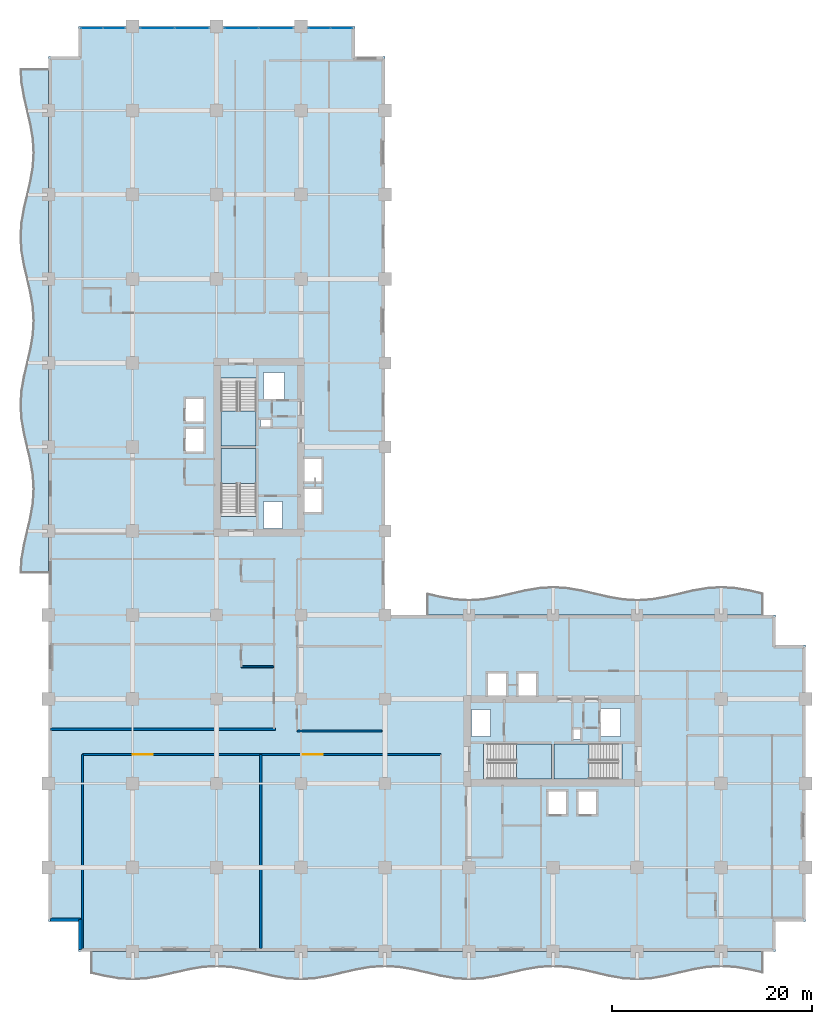
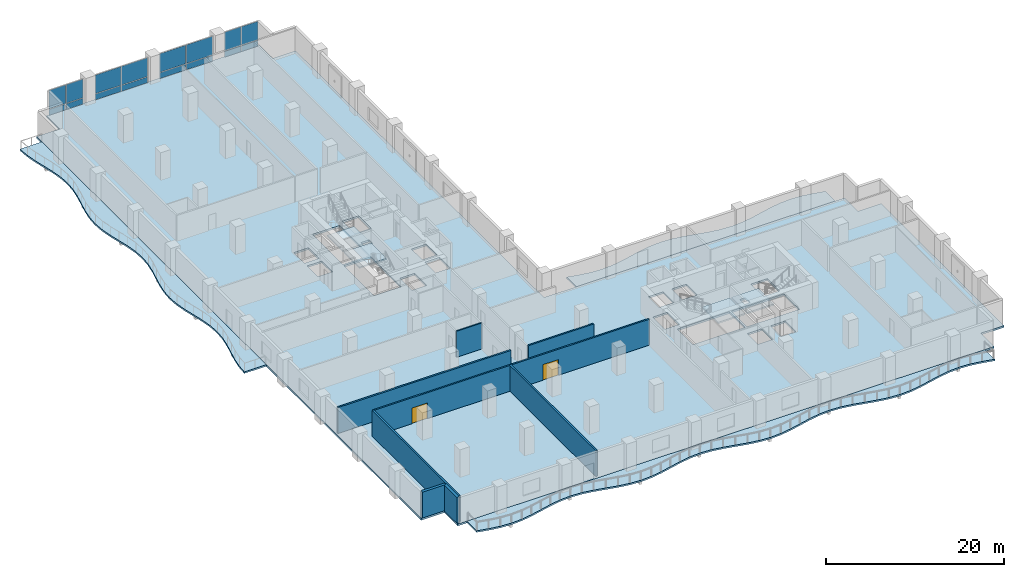
# One storey, part 6 of 22: 16 plates, 8 slabs, 8 walls, 2 doors, 2 openings, 8 elements without a shape of their own.
"""IFC4 building model written with IfcOpenShell, lengths in metres."""

import ifcopenshell
import ifcopenshell.guid

model = None  # the IFC model being written
_history = None  # IfcOwnerHistory: only IFC2X3 demands one
_inside = {}  # id of a spatial element -> (the spatial element, [elements in it])
_under = {}  # id of a project, library or spatial element -> (it, [spatial elements below it])
_declared = {}  # id of a project -> (the project, [libraries it declares])
_typed = {}  # id of a type object -> (the type object, [elements of that type])
_made_of = {}  # id of a material, layer set ... -> (it, [elements and type objects made of it])


def new_model(schema):
    """Start an empty IFC model of exactly this schema.

    Asked for "IFC4X3", IfcOpenShell would pick the latest addendum, in which some entities
    have other attributes; the version numbers below select the first issue.
    IFC2X3 requires an IfcOwnerHistory on every rooted entity: one is made here for all.
    """
    global model, _history
    if schema == "IFC4X3":
        model = ifcopenshell.file(schema_version=(4, 3, 0, 0))
    else:
        model = ifcopenshell.file(schema=schema)
    _inside.clear()
    _under.clear()
    _declared.clear()
    _typed.clear()
    _made_of.clear()
    _history = None
    if model.schema == "IFC2X3":
        org = make("IfcOrganization", Name="unknown")
        user = make(
            "IfcPersonAndOrganization",
            ThePerson=make("IfcPerson", FamilyName="unknown"),
            TheOrganization=org,
        )
        app = make(
            "IfcApplication",
            ApplicationDeveloper=org,
            Version="unknown",
            ApplicationFullName="unknown",
            ApplicationIdentifier="unknown",
        )
        _history = make(
            "IfcOwnerHistory",
            OwningUser=user,
            OwningApplication=app,
            ChangeAction="ADDED",
            CreationDate=0,
        )
    return model


def make(cls, **values):
    """One entity of the class cls with the attributes given. An attribute that is None is left unset."""
    return model.create_entity(
        cls, **{name: value for name, value in values.items() if value is not None}
    )


def rooted(cls, **values):
    """An entity with a GlobalId (a new one), such as an element, a storey or a relation."""
    return make(cls, GlobalId=ifcopenshell.guid.new(), OwnerHistory=_history, **values)


def si_unit(unit_type, name, prefix=None):
    """IfcSIUnit, for example si_unit("LENGTHUNIT", "METRE", prefix="MILLI")."""
    return make("IfcSIUnit", UnitType=unit_type, Prefix=prefix, Name=name)


def assignment(units):
    """IfcUnitAssignment: the units of a project."""
    return None if units is None else make("IfcUnitAssignment", Units=units)


def point(xyz):
    """IfcCartesianPoint."""
    return None if xyz is None else make("IfcCartesianPoint", Coordinates=xyz)


def direction(xyz):
    """IfcDirection."""
    return None if xyz is None else make("IfcDirection", DirectionRatios=xyz)


def frame(location, z_axis=None, x_axis=None):
    """IfcAxis2Placement3D, a coordinate frame: its origin and axes. An axis left out is left unset."""
    return make(
        "IfcAxis2Placement3D",
        Location=point(location),
        Axis=direction(z_axis),
        RefDirection=direction(x_axis),
    )


def frame_2d(location, x_axis=None):
    """IfcAxis2Placement2D, a coordinate frame in the plane: its origin and x axis."""
    return make(
        "IfcAxis2Placement2D", Location=point(location), RefDirection=direction(x_axis)
    )


def origin():
    """The frame at (0, 0, 0) with its axes left unset."""
    return frame((0.0, 0.0, 0.0))


def origin_2d():
    """The frame at (0, 0) in the plane with its x axis left unset."""
    return frame_2d((0.0, 0.0))


def place(relative_to, where):
    """IfcLocalPlacement: puts the frame where relative to a parent placement (None: the world)."""
    return make(
        "IfcLocalPlacement", PlacementRelTo=relative_to, RelativePlacement=where
    )


def context(
    kind, dimensions, precision=None, world=None, true_north=None, identifier=None
):
    """IfcGeometricRepresentationContext, for example the 3D "Model" context."""
    return make(
        "IfcGeometricRepresentationContext",
        ContextIdentifier=identifier,
        ContextType=kind,
        CoordinateSpaceDimension=dimensions,
        Precision=precision,
        WorldCoordinateSystem=world,
        TrueNorth=true_north,
    )


def subcontext(parent, identifier, kind, view, scale=None):
    """IfcGeometricRepresentationSubContext, for example "Body" below "Model"."""
    return make(
        "IfcGeometricRepresentationSubContext",
        ContextIdentifier=identifier,
        ContextType=kind,
        ParentContext=parent,
        TargetScale=scale,
        TargetView=view,
    )


def project(units=None, contexts=None):
    """IfcProject with its units and contexts."""
    return rooted(
        "IfcProject",
        Name="project",
        RepresentationContexts=contexts,
        UnitsInContext=assignment(units),
    )


def spatial(cls, under=None, at=None, **own):
    """A site, building, storey or space (cls), placed at a placement, below another one or the project."""
    s = rooted(cls, ObjectPlacement=at, **own)
    if under is not None:
        _under.setdefault(under.id(), (under, []))[1].append(s)
    return s


def polyline(points):
    """IfcPolyline through the points."""
    return make("IfcPolyline", Points=[point(p) for p in points])


def profile(cls, at=None, kind="AREA", **sizes):
    """A parametric profile (cls). Its sizes go by their IFC names, for example OverallWidth=200.0."""
    return make(cls, ProfileType=kind, Position=at, **sizes)


def rectangle(**sizes):
    """IfcRectangleProfileDef."""
    return profile("IfcRectangleProfileDef", **sizes)


def outline(outer, holes=None, kind="AREA"):
    """IfcArbitraryClosedProfileDef: a profile drawn as a closed curve; with holes, ...WithVoids."""
    if holes is None:
        return make("IfcArbitraryClosedProfileDef", ProfileType=kind, OuterCurve=outer)
    return make(
        "IfcArbitraryProfileDefWithVoids",
        ProfileType=kind,
        OuterCurve=outer,
        InnerCurves=holes,
    )


def extrude(swept, where, along, depth):
    """IfcExtrudedAreaSolid: the profile swept, set in the frame where, extruded along a direction by depth."""
    return make(
        "IfcExtrudedAreaSolid",
        SweptArea=swept,
        Position=where,
        ExtrudedDirection=direction(along),
        Depth=depth,
    )


def shape(context_of_items, identifier, shape_type, items):
    """IfcShapeRepresentation: the items that make up one representation, for example the "Body"."""
    return make(
        "IfcShapeRepresentation",
        ContextOfItems=context_of_items,
        RepresentationIdentifier=identifier,
        RepresentationType=shape_type,
        Items=items,
    )


def material(Name=None, Category=None):
    """IfcMaterial."""
    return make("IfcMaterial", Name=Name, Category=Category)


def layer(
    of_material, thickness, ventilated=None, Name=None, Category=None, Priority=None
):
    """IfcMaterialLayer: one layer of a wall or slab, of a material (None: an air gap)."""
    return make(
        "IfcMaterialLayer",
        Material=of_material,
        LayerThickness=thickness,
        IsVentilated=ventilated,
        Name=Name,
        Category=Category,
        Priority=Priority,
    )


def layer_set(layers, Name=None):
    """IfcMaterialLayerSet."""
    return make("IfcMaterialLayerSet", MaterialLayers=layers, LayerSetName=Name)


def made_of(thing, what):
    """Note that an element or type object is made of a material, layer set ...; save() writes the relation."""
    if what is not None:
        _made_of.setdefault(what.id(), (what, []))[1].append(thing)
    return thing


def type_object(cls, material=None, **own):
    """A type object (cls), such as IfcWallType, which elements share."""
    return made_of(rooted(cls, **own), material)


def element(
    cls,
    number,
    at=None,
    inside=None,
    cuts=None,
    type_object=None,
    material=None,
    context=None,
    identifier="Body",
    shape_type=None,
    held_by="IfcProductDefinitionShape",
    body=None,
    shapes=None,
    **own,
):
    """One element of the class cls, such as IfcWall. Its Tag is "e" and its number.

    at: its placement. inside: the storey or other place that contains it. cuts: it is an
    opening in that element (IfcRelVoidsElement). A single representation is given by context,
    identifier, shape_type and body (its items); several are given by shapes. held_by: the class
    of the entity that holds the representations. save() writes the other relations.
    """
    e = rooted(cls, Tag="e%d" % number, ObjectPlacement=at, **own)
    if body is not None:
        shapes = [shape(context, identifier, shape_type, body)]
    if shapes is not None:
        e.Representation = make(held_by, Representations=shapes)
    if inside is not None:
        _inside.setdefault(inside.id(), (inside, []))[1].append(e)
    if cuts is not None:
        rooted(
            "IfcRelVoidsElement", RelatingBuildingElement=cuts, RelatedOpeningElement=e
        )
    if type_object is not None:
        _typed.setdefault(type_object.id(), (type_object, []))[1].append(e)
    return made_of(e, material)


def fill(opening, filler):
    """IfcRelFillsElement: the door or window that sits in an opening."""
    return rooted(
        "IfcRelFillsElement",
        RelatingOpeningElement=opening,
        RelatedBuildingElement=filler,
    )


def aggregate(whole, parts):
    """IfcRelAggregates: a whole, such as a stair, and the parts it consists of."""
    return rooted("IfcRelAggregates", RelatingObject=whole, RelatedObjects=parts)


def save(model, path):
    """Write the relations noted so far, then the file.

    IfcRelAggregates (storeys below a building ...), IfcRelContainedInSpatialStructure (elements
    in a storey), IfcRelDefinesByType, IfcRelAssociatesMaterial and IfcRelDeclares: one each for
    every whole, place, type object, material and project.
    """
    for whole, parts in _under.values():
        aggregate(whole, parts)
    for where, things in _inside.values():
        rooted(
            "IfcRelContainedInSpatialStructure",
            RelatedElements=things,
            RelatingStructure=where,
        )
    for kind, things in _typed.values():
        rooted("IfcRelDefinesByType", RelatedObjects=things, RelatingType=kind)
    for what, things in _made_of.values():
        rooted("IfcRelAssociatesMaterial", RelatedObjects=things, RelatingMaterial=what)
    for by, libraries in _declared.values():
        rooted("IfcRelDeclares", RelatingContext=by, RelatedDefinitions=libraries)
    model.write(path)


model = new_model("IFC4")

# Units and contexts
model_context = context("Model", 3, precision=1e-05, world=origin(), true_north=direction((0.0, 1.0)))
body_context = subcontext(model_context, "Body", "Model", "MODEL_VIEW")
ifc_project = project(units=[si_unit("LENGTHUNIT", "METRE"), si_unit("AREAUNIT", "SQUARE_METRE"), si_unit("VOLUMEUNIT", "CUBIC_METRE"), si_unit("PLANEANGLEUNIT", "RADIAN"), si_unit("MASSUNIT", "GRAM", prefix="KILO")], contexts=[model_context])

# Site, building, storey
site_placement = place(None, origin())
site = spatial("IfcSite", under=ifc_project, at=site_placement, CompositionType="ELEMENT")
building_placement = place(site_placement, origin())
building = spatial("IfcBuilding", under=site, at=building_placement, Name="Koriwani Terraces Tower", CompositionType="ELEMENT")
storey_placement = place(building_placement, frame((0.0, 0.0, 141.800048828125)))
storey = spatial("IfcBuildingStorey", under=building, at=storey_placement, Name="L34", CompositionType="ELEMENT", Elevation=141.800048828125)

# Curtain wall, plates
ifc_material_1 = material(Name="Anodised Bronze Aluminium", Category="aluminium")
ifc_layer_1 = layer(ifc_material_1, 0.179931640625, Name="Anodised Bronze Aluminium")
ifc_layer_set_1 = layer_set([ifc_layer_1], Name="Anodised Bronze Aluminium")
curtain_wall_type = type_object("IfcCurtainWallType", Name="CW_HOTEL_ZONE2", PredefinedType="NOTDEFINED", material=ifc_layer_set_1)
curtain_wall_1_placement = place(storey_placement, origin())
curtain_wall_1 = element("IfcCurtainWall", 1, at=curtain_wall_1_placement, inside=storey, type_object=curtain_wall_type, Name="L34 Unitised Curtain Wall (N_TIP) Bay 1", PredefinedType="NOTDEFINED")
ifc_material_2 = material(Name="Tempered Laminated Low-E Glass", Category="glass")
ifc_layer_2 = layer(ifc_material_2, 0.028076171875, Name="Tempered Laminated Low-E Glass")
ifc_layer_set_2 = layer_set([ifc_layer_2], Name="Tempered Laminated Low-E Glass")
plate_type = type_object("IfcPlateType", Name="CW_PANEL_VISION_28", PredefinedType="CURTAIN_PANEL", material=ifc_layer_set_2)
plate_1_placement = place(storey_placement, frame((4.322509765625, 92.22509765625, 0.06494140625), z_axis=(0.0, 0.0, 1.0), x_axis=(1.0, 0.0, 0.0)))
plate_1 = element("IfcPlate", 2, at=plate_1_placement, type_object=plate_type, Name="CW-Z2 panel 1.1", PredefinedType="CURTAIN_PANEL", context=body_context, shape_type="SweptSolid", body=[
    extrude(rectangle(XDim=2.14501953125, YDim=0.028076171875, at=origin_2d()), origin(), (0.0, 0.0, 1.0), 0.802490234375),
])
plate_2_placement = place(storey_placement, frame((4.322509765625, 92.22509765625, 0.9326171875), z_axis=(0.0, 0.0, 1.0), x_axis=(1.0, 0.0, 0.0)))
plate_2 = element("IfcPlate", 3, at=plate_2_placement, type_object=plate_type, Name="CW-Z2 panel 1.2", PredefinedType="CURTAIN_PANEL", context=body_context, shape_type="SweptSolid", body=[
    extrude(rectangle(XDim=2.14501953125, YDim=0.028076171875, at=origin_2d()), origin(), (0.0, 0.0, 1.0), 2.552490234375),
])
plate_3_placement = place(storey_placement, frame((6.54248046875, 92.22509765625, 0.06494140625), z_axis=(0.0, 0.0, 1.0), x_axis=(1.0, 0.0, 0.0)))
plate_3 = element("IfcPlate", 4, at=plate_3_placement, type_object=plate_type, Name="CW-Z2 panel 2.1", PredefinedType="CURTAIN_PANEL", context=body_context, shape_type="SweptSolid", body=[
    extrude(rectangle(XDim=2.14501953125, YDim=0.028076171875, at=origin_2d()), origin(), (0.0, 0.0, 1.0), 0.802490234375),
])
plate_4_placement = place(storey_placement, frame((6.54248046875, 92.22509765625, 0.9326171875), z_axis=(0.0, 0.0, 1.0), x_axis=(1.0, 0.0, 0.0)))
plate_4 = element("IfcPlate", 5, at=plate_4_placement, type_object=plate_type, Name="CW-Z2 panel 2.2", PredefinedType="CURTAIN_PANEL", context=body_context, shape_type="SweptSolid", body=[
    extrude(rectangle(XDim=2.14501953125, YDim=0.028076171875, at=origin_2d()), origin(), (0.0, 0.0, 1.0), 2.552490234375),
])
aggregate(curtain_wall_1, [plate_1, plate_2, plate_3, plate_4])

curtain_wall_2_placement = place(storey_placement, origin())
curtain_wall_2 = element("IfcCurtainWall", 6, at=curtain_wall_2_placement, inside=storey, type_object=curtain_wall_type, Name="L34 Unitised Curtain Wall (N_TIP) Bay 2", PredefinedType="NOTDEFINED")
plate_5_placement = place(storey_placement, frame((10.873779296875, 92.22509765625, 0.06494140625), z_axis=(0.0, 0.0, 1.0), x_axis=(1.0, 0.0, 0.0)))
plate_5 = element("IfcPlate", 7, at=plate_5_placement, type_object=plate_type, Name="CW-Z2 panel 1.1", PredefinedType="CURTAIN_PANEL", context=body_context, shape_type="SweptSolid", body=[
    extrude(rectangle(XDim=3.37744140625, YDim=0.028076171875, at=origin_2d()), origin(), (0.0, 0.0, 1.0), 0.802490234375),
])
plate_6_placement = place(storey_placement, frame((10.873779296875, 92.22509765625, 0.9326171875), z_axis=(0.0, 0.0, 1.0), x_axis=(1.0, 0.0, 0.0)))
plate_6 = element("IfcPlate", 8, at=plate_6_placement, type_object=plate_type, Name="CW-Z2 panel 1.2", PredefinedType="CURTAIN_PANEL", context=body_context, shape_type="SweptSolid", body=[
    extrude(rectangle(XDim=3.37744140625, YDim=0.028076171875, at=origin_2d()), origin(), (0.0, 0.0, 1.0), 2.552490234375),
])
plate_7_placement = place(storey_placement, frame((14.326171875, 92.22509765625, 0.06494140625), z_axis=(0.0, 0.0, 1.0), x_axis=(1.0, 0.0, 0.0)))
plate_7 = element("IfcPlate", 9, at=plate_7_placement, type_object=plate_type, Name="CW-Z2 panel 2.1", PredefinedType="CURTAIN_PANEL", context=body_context, shape_type="SweptSolid", body=[
    extrude(rectangle(XDim=3.37744140625, YDim=0.028076171875, at=origin_2d()), origin(), (0.0, 0.0, 1.0), 0.802490234375),
])
plate_8_placement = place(storey_placement, frame((14.326171875, 92.22509765625, 0.9326171875), z_axis=(0.0, 0.0, 1.0), x_axis=(1.0, 0.0, 0.0)))
plate_8 = element("IfcPlate", 10, at=plate_8_placement, type_object=plate_type, Name="CW-Z2 panel 2.2", PredefinedType="CURTAIN_PANEL", context=body_context, shape_type="SweptSolid", body=[
    extrude(rectangle(XDim=3.37744140625, YDim=0.028076171875, at=origin_2d()), origin(), (0.0, 0.0, 1.0), 2.552490234375),
])
aggregate(curtain_wall_2, [plate_5, plate_6, plate_7, plate_8])

curtain_wall_3_placement = place(storey_placement, origin())
curtain_wall_3 = element("IfcCurtainWall", 11, at=curtain_wall_3_placement, inside=storey, type_object=curtain_wall_type, Name="L34 Unitised Curtain Wall (N_TIP) Bay 3", PredefinedType="NOTDEFINED")
plate_9_placement = place(storey_placement, frame((19.273681640625, 92.22509765625, 0.06494140625), z_axis=(0.0, 0.0, 1.0), x_axis=(1.0, 0.0, 0.0)))
plate_9 = element("IfcPlate", 12, at=plate_9_placement, type_object=plate_type, Name="CW-Z2 panel 1.1", PredefinedType="CURTAIN_PANEL", context=body_context, shape_type="SweptSolid", body=[
    extrude(rectangle(XDim=3.37744140625, YDim=0.028076171875, at=origin_2d()), origin(), (0.0, 0.0, 1.0), 0.802490234375),
])
plate_10_placement = place(storey_placement, frame((19.273681640625, 92.22509765625, 0.9326171875), z_axis=(0.0, 0.0, 1.0), x_axis=(1.0, 0.0, 0.0)))
plate_10 = element("IfcPlate", 13, at=plate_10_placement, type_object=plate_type, Name="CW-Z2 panel 1.2", PredefinedType="CURTAIN_PANEL", context=body_context, shape_type="SweptSolid", body=[
    extrude(rectangle(XDim=3.37744140625, YDim=0.028076171875, at=origin_2d()), origin(), (0.0, 0.0, 1.0), 2.552490234375),
])
plate_11_placement = place(storey_placement, frame((22.726318359375, 92.22509765625, 0.06494140625), z_axis=(0.0, 0.0, 1.0), x_axis=(1.0, 0.0, 0.0)))
plate_11 = element("IfcPlate", 14, at=plate_11_placement, type_object=plate_type, Name="CW-Z2 panel 2.1", PredefinedType="CURTAIN_PANEL", context=body_context, shape_type="SweptSolid", body=[
    extrude(rectangle(XDim=3.37744140625, YDim=0.028076171875, at=origin_2d()), origin(), (0.0, 0.0, 1.0), 0.802490234375),
])
plate_12_placement = place(storey_placement, frame((22.726318359375, 92.22509765625, 0.9326171875), z_axis=(0.0, 0.0, 1.0), x_axis=(1.0, 0.0, 0.0)))
plate_12 = element("IfcPlate", 15, at=plate_12_placement, type_object=plate_type, Name="CW-Z2 panel 2.2", PredefinedType="CURTAIN_PANEL", context=body_context, shape_type="SweptSolid", body=[
    extrude(rectangle(XDim=3.37744140625, YDim=0.028076171875, at=origin_2d()), origin(), (0.0, 0.0, 1.0), 2.552490234375),
])
aggregate(curtain_wall_3, [plate_9, plate_10, plate_11, plate_12])

curtain_wall_4_placement = place(storey_placement, origin())
curtain_wall_4 = element("IfcCurtainWall", 16, at=curtain_wall_4_placement, inside=storey, type_object=curtain_wall_type, Name="L34 Unitised Curtain Wall (N_TIP) Bay 4", PredefinedType="NOTDEFINED")
plate_13_placement = place(storey_placement, frame((27.0576171875, 92.22509765625, 0.06494140625), z_axis=(0.0, 0.0, 1.0), x_axis=(1.0, 0.0, 0.0)))
plate_13 = element("IfcPlate", 17, at=plate_13_placement, type_object=plate_type, Name="CW-Z2 panel 1.1", PredefinedType="CURTAIN_PANEL", context=body_context, shape_type="SweptSolid", body=[
    extrude(rectangle(XDim=2.14501953125, YDim=0.028076171875, at=origin_2d()), origin(), (0.0, 0.0, 1.0), 0.802490234375),
])
plate_14_placement = place(storey_placement, frame((27.0576171875, 92.22509765625, 0.9326171875), z_axis=(0.0, 0.0, 1.0), x_axis=(1.0, 0.0, 0.0)))
plate_14 = element("IfcPlate", 18, at=plate_14_placement, type_object=plate_type, Name="CW-Z2 panel 1.2", PredefinedType="CURTAIN_PANEL", context=body_context, shape_type="SweptSolid", body=[
    extrude(rectangle(XDim=2.14501953125, YDim=0.028076171875, at=origin_2d()), origin(), (0.0, 0.0, 1.0), 2.552490234375),
])
plate_15_placement = place(storey_placement, frame((29.277587890625, 92.22509765625, 0.06494140625), z_axis=(0.0, 0.0, 1.0), x_axis=(1.0, 0.0, 0.0)))
plate_15 = element("IfcPlate", 19, at=plate_15_placement, type_object=plate_type, Name="CW-Z2 panel 2.1", PredefinedType="CURTAIN_PANEL", context=body_context, shape_type="SweptSolid", body=[
    extrude(rectangle(XDim=2.14501953125, YDim=0.028076171875, at=origin_2d()), origin(), (0.0, 0.0, 1.0), 0.802490234375),
])
plate_16_placement = place(storey_placement, frame((29.277587890625, 92.22509765625, 0.9326171875), z_axis=(0.0, 0.0, 1.0), x_axis=(1.0, 0.0, 0.0)))
plate_16 = element("IfcPlate", 20, at=plate_16_placement, type_object=plate_type, Name="CW-Z2 panel 2.2", PredefinedType="CURTAIN_PANEL", context=body_context, shape_type="SweptSolid", body=[
    extrude(rectangle(XDim=2.14501953125, YDim=0.028076171875, at=origin_2d()), origin(), (0.0, 0.0, 1.0), 2.552490234375),
])
aggregate(curtain_wall_4, [plate_13, plate_14, plate_15, plate_16])

# Slabs
ifc_material_3 = material(Name="Concrete C40/50", Category="concrete")
ifc_layer_3 = layer(ifc_material_3, 0.219970703125, Name="Concrete C40/50")
ifc_layer_set_3 = layer_set([ifc_layer_3], Name="Concrete C40/50")
slab_type_1 = type_object("IfcSlabType", Name="SLAB_BALCONY_220", PredefinedType="FLOOR", material=ifc_layer_set_3)
slab_1_placement = place(storey_placement, frame((0.0, 0.0, -0.219970703125)))
element("IfcSlab", 21, at=slab_1_placement, inside=storey, type_object=slab_type_1, Name="L34 Quilted Circular-Arc Balcony (S)", PredefinedType="FLOOR", context=body_context, shape_type="SweptSolid", body=[
    extrude(outline(polyline([(4.199951171875, 0.0), (5.60009765625, 0.0), (7.0, 0.0), (8.39990234375, 0.0), (9.800048828125, 0.0), (11.199951171875, 0.0), (12.60009765625, 0.0), (14.0, 0.0), (15.39990234375, 0.0), (16.800048828125, 0.0), (18.199951171875, 0.0), (19.60009765625, 0.0), (21.0, 0.0), (22.39990234375, 0.0), (23.800048828125, 0.0), (25.199951171875, 0.0), (26.60009765625, 0.0), (28.0, 0.0), (29.39990234375, 0.0), (30.800048828125, 0.0), (32.199951171875, 0.0), (33.60009765625, 0.0), (35.0, 0.0), (36.39990234375, 0.0), (37.800048828125, 0.0), (39.199951171875, 0.0), (40.60009765625, 0.0), (42.0, 0.0), (43.39990234375, 0.0), (44.800048828125, 0.0), (46.199951171875, 0.0), (47.60009765625, 0.0), (49.0, 0.0), (50.39990234375, 0.0), (51.800048828125, 0.0), (53.199951171875, 0.0), (54.60009765625, 0.0), (56.0, 0.0), (57.39990234375, 0.0), (58.800048828125, 0.0), (60.199951171875, 0.0), (61.60009765625, 0.0), (63.0, 0.0), (64.39990234375, 0.0), (65.800048828125, 0.0), (67.199951171875, 0.0), (68.60009765625, 0.0), (70.0, 0.0), (71.39990234375, 0.0), (71.39990234375, -2.199951171875), (70.0, -1.875), (68.60009765625, -1.63720703125), (67.199951171875, -1.550048828125), (65.800048828125, -1.63720703125), (64.39990234375, -1.875), (63.0, -2.199951171875), (61.60009765625, -2.52490234375), (60.199951171875, -2.762939453125), (58.800048828125, -2.85009765625), (57.39990234375, -2.762939453125), (56.0, -2.52490234375), (54.60009765625, -2.199951171875), (53.199951171875, -1.875), (51.800048828125, -1.63720703125), (50.39990234375, -1.550048828125), (49.0, -1.63720703125), (47.60009765625, -1.875), (46.199951171875, -2.199951171875), (44.800048828125, -2.52490234375), (43.39990234375, -2.762939453125), (42.0, -2.85009765625), (40.60009765625, -2.762939453125), (39.199951171875, -2.52490234375), (37.800048828125, -2.199951171875), (36.39990234375, -1.875), (35.0, -1.63720703125), (33.60009765625, -1.550048828125), (32.199951171875, -1.63720703125), (30.800048828125, -1.875), (29.39990234375, -2.199951171875), (28.0, -2.52490234375), (26.60009765625, -2.762939453125), (25.199951171875, -2.85009765625), (23.800048828125, -2.762939453125), (22.39990234375, -2.52490234375), (21.0, -2.199951171875), (19.60009765625, -1.875), (18.199951171875, -1.63720703125), (16.800048828125, -1.550048828125), (15.39990234375, -1.63720703125), (14.0, -1.875), (12.60009765625, -2.199951171875), (11.199951171875, -2.52490234375), (9.800048828125, -2.762939453125), (8.39990234375, -2.85009765625), (7.0, -2.762939453125), (5.60009765625, -2.52490234375), (4.199951171875, -2.199951171875), (4.199951171875, 0.0)])), origin(), (0.0, 0.0, 1.0), 0.219970703125),
])
slab_2_placement = place(storey_placement, frame((0.0, 0.0, -0.219970703125)))
element("IfcSlab", 22, at=slab_2_placement, inside=storey, type_object=slab_type_1, Name="L34 Quilted Circular-Arc Balcony (W)", PredefinedType="FLOOR", context=body_context, shape_type="SweptSolid", body=[
    extrude(outline(polyline([(0.0, 37.800048828125), (0.0, 39.199951171875), (0.0, 40.60009765625), (0.0, 42.0), (0.0, 43.39990234375), (0.0, 44.800048828125), (0.0, 46.199951171875), (0.0, 47.60009765625), (0.0, 49.0), (0.0, 50.39990234375), (0.0, 51.800048828125), (0.0, 53.199951171875), (0.0, 54.60009765625), (0.0, 56.0), (0.0, 57.39990234375), (0.0, 58.800048828125), (0.0, 60.199951171875), (0.0, 61.60009765625), (0.0, 63.0), (0.0, 64.39990234375), (0.0, 65.800048828125), (0.0, 67.199951171875), (0.0, 68.60009765625), (0.0, 70.0), (0.0, 71.39990234375), (0.0, 72.800048828125), (0.0, 74.199951171875), (0.0, 75.60009765625), (0.0, 77.0), (0.0, 78.39990234375), (0.0, 79.800048828125), (0.0, 81.199951171875), (0.0, 82.60009765625), (0.0, 84.0), (0.0, 85.39990234375), (0.0, 86.800048828125), (0.0, 88.199951171875), (-2.85009765625, 88.199951171875), (-2.762939453125, 86.800048828125), (-2.52490234375, 85.39990234375), (-2.199951171875, 84.0), (-1.875, 82.60009765625), (-1.63720703125, 81.199951171875), (-1.550048828125, 79.800048828125), (-1.63720703125, 78.39990234375), (-1.875, 77.0), (-2.199951171875, 75.60009765625), (-2.52490234375, 74.199951171875), (-2.762939453125, 72.800048828125), (-2.85009765625, 71.39990234375), (-2.762939453125, 70.0), (-2.52490234375, 68.60009765625), (-2.199951171875, 67.199951171875), (-1.875, 65.800048828125), (-1.63720703125, 64.39990234375), (-1.550048828125, 63.0), (-1.63720703125, 61.60009765625), (-1.875, 60.199951171875), (-2.199951171875, 58.800048828125), (-2.52490234375, 57.39990234375), (-2.762939453125, 56.0), (-2.85009765625, 54.60009765625), (-2.762939453125, 53.199951171875), (-2.52490234375, 51.800048828125), (-2.199951171875, 50.39990234375), (-1.875, 49.0), (-1.63720703125, 47.60009765625), (-1.550048828125, 46.199951171875), (-1.63720703125, 44.800048828125), (-1.875, 43.39990234375), (-2.199951171875, 42.0), (-2.52490234375, 40.60009765625), (-2.762939453125, 39.199951171875), (-2.85009765625, 37.800048828125), (0.0, 37.800048828125)])), origin(), (0.0, 0.0, 1.0), 0.219970703125),
])
slab_3_placement = place(storey_placement, frame((0.0, 0.0, -0.219970703125)))
element("IfcSlab", 23, at=slab_3_placement, inside=storey, type_object=slab_type_1, Name="L34 Quilted Circular-Arc Balcony (NE)", PredefinedType="FLOOR", context=body_context, shape_type="SweptSolid", body=[
    extrude(outline(polyline([(71.39990234375, 33.60009765625), (70.0, 33.60009765625), (68.60009765625, 33.60009765625), (67.199951171875, 33.60009765625), (65.800048828125, 33.60009765625), (64.39990234375, 33.60009765625), (63.0, 33.60009765625), (61.60009765625, 33.60009765625), (60.199951171875, 33.60009765625), (58.800048828125, 33.60009765625), (57.39990234375, 33.60009765625), (56.0, 33.60009765625), (54.60009765625, 33.60009765625), (53.199951171875, 33.60009765625), (51.800048828125, 33.60009765625), (50.39990234375, 33.60009765625), (49.0, 33.60009765625), (47.60009765625, 33.60009765625), (46.199951171875, 33.60009765625), (44.800048828125, 33.60009765625), (43.39990234375, 33.60009765625), (42.0, 33.60009765625), (40.60009765625, 33.60009765625), (39.199951171875, 33.60009765625), (37.800048828125, 33.60009765625), (37.800048828125, 35.800048828125), (39.199951171875, 35.47509765625), (40.60009765625, 35.237060546875), (42.0, 35.14990234375), (43.39990234375, 35.237060546875), (44.800048828125, 35.47509765625), (46.199951171875, 35.800048828125), (47.60009765625, 36.125), (49.0, 36.36279296875), (50.39990234375, 36.449951171875), (51.800048828125, 36.36279296875), (53.199951171875, 36.125), (54.60009765625, 35.800048828125), (56.0, 35.47509765625), (57.39990234375, 35.237060546875), (58.800048828125, 35.14990234375), (60.199951171875, 35.237060546875), (61.60009765625, 35.47509765625), (63.0, 35.800048828125), (64.39990234375, 36.125), (65.800048828125, 36.36279296875), (67.199951171875, 36.449951171875), (68.60009765625, 36.36279296875), (70.0, 36.125), (71.39990234375, 35.800048828125), (71.39990234375, 33.60009765625)])), origin(), (0.0, 0.0, 1.0), 0.219970703125),
])

# Stair, slab
stair_type = type_object("IfcStairType", Name="STAIR_CORE_DOGLEG_1650", PredefinedType="TWO_STRAIGHT_RUN_STAIR", material=ifc_material_3)
stair_1_placement = place(storey_placement, origin())
stair_1 = element("IfcStair", 24, at=stair_1_placement, inside=storey, type_object=stair_type, Name="L34 West Core Exit Stair 1", PredefinedType="HALF_TURN_STAIR")
ifc_layer_4 = layer(ifc_material_3, 0.199951171875, Name="Concrete C40/50")
ifc_layer_set_4 = layer_set([ifc_layer_4], Name="Concrete C40/50")
slab_type_2 = type_object("IfcSlabType", Name="SLAB_STAIR_LANDING_200", PredefinedType="LANDING", material=ifc_layer_set_4)
slab_4_placement = place(storey_placement, frame((0.0, 0.0, 1.699951171875)))
slab_4 = element("IfcSlab", 25, at=slab_4_placement, type_object=slab_type_2, Name="ST-W1 landing 1", PredefinedType="LANDING", context=body_context, shape_type="SweptSolid", body=[
    extrude(outline(polyline([(20.75, 46.75), (20.75, 50.25), (17.25, 50.25), (17.25, 46.75), (20.75, 46.75)])), origin(), (0.0, 0.0, 1.0), 0.199951171875),
])
aggregate(stair_1, [slab_4])

stair_2_placement = place(storey_placement, origin())
stair_2 = element("IfcStair", 26, at=stair_2_placement, inside=storey, type_object=stair_type, Name="L34 West Core Exit Stair 2", PredefinedType="HALF_TURN_STAIR")
slab_5_placement = place(storey_placement, frame((0.0, 0.0, 1.699951171875)))
slab_5 = element("IfcSlab", 27, at=slab_5_placement, type_object=slab_type_2, Name="ST-W2 landing 1", PredefinedType="LANDING", context=body_context, shape_type="SweptSolid", body=[
    extrude(outline(polyline([(17.25, 54.0), (17.25, 50.5), (20.75, 50.5), (20.75, 54.0), (17.25, 54.0)])), origin(), (0.0, 0.0, 1.0), 0.199951171875),
])
aggregate(stair_2, [slab_5])

stair_3_placement = place(storey_placement, origin())
stair_3 = element("IfcStair", 28, at=stair_3_placement, inside=storey, type_object=stair_type, Name="L34 East Core Exit Stair 1", PredefinedType="HALF_TURN_STAIR")
slab_6_placement = place(storey_placement, frame((0.0, 0.0, 1.699951171875)))
slab_6 = element("IfcSlab", 29, at=slab_6_placement, type_object=slab_type_2, Name="ST-E1 landing 1", PredefinedType="LANDING", context=body_context, shape_type="SweptSolid", body=[
    extrude(outline(polyline([(46.75, 17.25), (50.25, 17.25), (50.25, 20.75), (46.75, 20.75), (46.75, 17.25)])), origin(), (0.0, 0.0, 1.0), 0.199951171875),
])
aggregate(stair_3, [slab_6])

stair_4_placement = place(storey_placement, origin())
stair_4 = element("IfcStair", 30, at=stair_4_placement, inside=storey, type_object=stair_type, Name="L34 East Core Exit Stair 2", PredefinedType="HALF_TURN_STAIR")
slab_7_placement = place(storey_placement, frame((0.0, 0.0, 1.699951171875)))
slab_7 = element("IfcSlab", 31, at=slab_7_placement, type_object=slab_type_2, Name="ST-E2 landing 1", PredefinedType="LANDING", context=body_context, shape_type="SweptSolid", body=[
    extrude(outline(polyline([(54.0, 20.75), (50.5, 20.75), (50.5, 17.25), (54.0, 17.25), (54.0, 20.75)])), origin(), (0.0, 0.0, 1.0), 0.199951171875),
])
aggregate(stair_4, [slab_7])

# Slab
ifc_layer_5 = layer(ifc_material_3, 0.25, Name="Concrete C40/50")
ifc_layer_set_5 = layer_set([ifc_layer_5], Name="Concrete C40/50")
slab_type_3 = type_object("IfcSlabType", Name="SLAB_TOWER_TYP_250", PredefinedType="FLOOR", material=ifc_layer_set_5)
slab_8_placement = place(storey_placement, frame((0.0, 0.0, -0.25)))
element("IfcSlab", 32, at=slab_8_placement, inside=storey, type_object=slab_type_3, Name="L34 Structural Floor Slab", PredefinedType="FLOOR", context=body_context, shape_type="SweptSolid", body=[
    extrude(outline(polyline([(3.0, 0.0), (72.60009765625, 0.0), (72.60009765625, 3.0), (75.60009765625, 3.0), (75.60009765625, 30.60009765625), (72.60009765625, 30.60009765625), (72.60009765625, 33.60009765625), (33.60009765625, 33.60009765625), (33.60009765625, 89.39990234375), (30.60009765625, 89.39990234375), (30.60009765625, 92.39990234375), (3.0, 92.39990234375), (3.0, 89.39990234375), (0.0, 89.39990234375), (0.0, 3.0), (3.0, 3.0), (3.0, 0.0)]), holes=[polyline([(17.25, 43.4599609375), (20.75, 43.4599609375), (20.75, 50.25), (17.25, 50.25), (17.25, 43.4599609375)]), polyline([(17.25, 50.5), (20.75, 50.5), (20.75, 57.2900390625), (17.25, 57.2900390625), (17.25, 50.5)]), polyline([(43.4599609375, 17.25), (50.25, 17.25), (50.25, 20.75), (43.4599609375, 20.75), (43.4599609375, 17.25)]), polyline([(50.5, 17.25), (57.2900390625, 17.25), (57.2900390625, 20.75), (50.5, 20.75), (50.5, 17.25)]), polyline([(13.64990234375, 49.85009765625), (15.550048828125, 49.85009765625), (15.550048828125, 52.25), (13.64990234375, 52.25), (13.64990234375, 49.85009765625)]), polyline([(13.64990234375, 52.85009765625), (15.550048828125, 52.85009765625), (15.550048828125, 55.25), (13.64990234375, 55.25), (13.64990234375, 52.85009765625)]), polyline([(49.85009765625, 13.64990234375), (51.75, 13.64990234375), (51.75, 16.050048828125), (49.85009765625, 16.050048828125), (49.85009765625, 13.64990234375)]), polyline([(52.85009765625, 13.64990234375), (54.75, 13.64990234375), (54.75, 16.050048828125), (52.85009765625, 16.050048828125), (52.85009765625, 13.64990234375)]), polyline([(25.449951171875, 43.85009765625), (27.35009765625, 43.85009765625), (27.35009765625, 46.25), (25.449951171875, 46.25), (25.449951171875, 43.85009765625)]), polyline([(25.449951171875, 46.85009765625), (27.35009765625, 46.85009765625), (27.35009765625, 49.25), (25.449951171875, 49.25), (25.449951171875, 46.85009765625)]), polyline([(43.85009765625, 25.449951171875), (45.75, 25.449951171875), (45.75, 27.85009765625), (43.85009765625, 27.85009765625), (43.85009765625, 25.449951171875)]), polyline([(46.85009765625, 25.449951171875), (48.75, 25.449951171875), (48.75, 27.85009765625), (46.85009765625, 27.85009765625), (46.85009765625, 25.449951171875)]), polyline([(21.449951171875, 55.050048828125), (23.550048828125, 55.050048828125), (23.550048828125, 57.85009765625), (21.449951171875, 57.85009765625), (21.449951171875, 55.050048828125)]), polyline([(55.050048828125, 21.449951171875), (57.14990234375, 21.449951171875), (57.14990234375, 24.25), (55.050048828125, 24.25), (55.050048828125, 21.449951171875)]), polyline([(21.449951171875, 42.25), (23.35009765625, 42.25), (23.35009765625, 44.949951171875), (21.449951171875, 44.949951171875), (21.449951171875, 42.25)]), polyline([(42.25, 21.449951171875), (44.14990234375, 21.449951171875), (44.14990234375, 24.14990234375), (42.25, 24.14990234375), (42.25, 21.449951171875)]), polyline([(21.14990234375, 52.419921875), (22.219970703125, 52.419921875), (22.219970703125, 53.179931640625), (21.14990234375, 53.179931640625), (21.14990234375, 52.419921875)]), polyline([(52.419921875, 21.14990234375), (53.179931640625, 21.14990234375), (53.179931640625, 22.219970703125), (52.419921875, 22.219970703125), (52.419921875, 21.14990234375)])]), origin(), (0.0, 0.0, 1.0), 0.25),
])

# Wall
ifc_material_4 = material(Name="Autoclaved Cellular Concrete Blockwork", Category="masonry")
ifc_layer_6 = layer(ifc_material_4, 0.199951171875, Name="Autoclaved Cellular Concrete Blockwork")
ifc_layer_set_6 = layer_set([ifc_layer_6], Name="Autoclaved Cellular Concrete Blockwork")
wall_type_1 = type_object("IfcWallType", Name="WALL_CORRIDOR_200", PredefinedType="PARTITIONING", material=ifc_layer_set_6)
wall_1_placement = place(storey_placement, frame((24.800048828125, 22.0, 0.0), z_axis=(0.0, 0.0, 1.0), x_axis=(1.0, 0.0, 0.0)))
element("IfcWall", 33, at=wall_1_placement, inside=storey, type_object=wall_type_1, Name="L34 Interior Wall WIC2-S-L34", PredefinedType="PARTITIONING", context=body_context, shape_type="SweptSolid", body=[
    extrude(rectangle(XDim=8.5, YDim=0.199951171875, at=frame_2d((4.25, 0.0))), origin(), (0.0, 0.0, 1.0), 3.550048828125),
])

# Wall, openings, doors
wall_2_placement = place(storey_placement, frame((3.39990234375, 19.699951171875, 0.0), z_axis=(0.0, 0.0, 1.0), x_axis=(1.0, 0.0, 0.0)))
wall_2 = element("IfcWall", 34, at=wall_2_placement, inside=storey, type_object=wall_type_1, Name="L34 Interior Wall WC2CF-L34", PredefinedType="PARTITIONING", context=body_context, shape_type="SweptSolid", body=[
    extrude(rectangle(XDim=35.800048828125, YDim=0.199951171875, at=frame_2d((17.89990234375, 0.0))), origin(), (0.0, 0.0, 1.0), 3.550048828125),
])
opening_1_placement = place(wall_2_placement, frame((5.0, 0.0, 0.0)))
opening_1 = element("IfcOpeningElement", 35, at=opening_1_placement, cuts=wall_2, Name="Opening D-02", PredefinedType="OPENING", context=body_context, shape_type="SweptSolid", body=[
    extrude(rectangle(XDim=2.0, YDim=2.14990234375, at=frame_2d((1.0, 1.074951171875))), frame((0.0, 0.10986328125, 0.0), z_axis=(0.0, -1.0, 0.0), x_axis=(1.0, 0.0, 0.0)), (0.0, 0.0, 1.0), 0.219970703125),
])
opening_2_placement = place(wall_2_placement, frame((22.0, 0.0, 0.0)))
opening_2 = element("IfcOpeningElement", 36, at=opening_2_placement, cuts=wall_2, Name="Opening D-02", PredefinedType="OPENING", context=body_context, shape_type="SweptSolid", body=[
    extrude(rectangle(XDim=2.0, YDim=2.14990234375, at=frame_2d((1.0, 1.074951171875))), frame((0.0, 0.10986328125, 0.0), z_axis=(0.0, -1.0, 0.0), x_axis=(1.0, 0.0, 0.0)), (0.0, 0.0, 1.0), 0.219970703125),
])
door_type = type_object("IfcDoorType", Name="DOOR_ENTRANCE_DOUBLE_2000X2400", OperationType="NOTDEFINED", PredefinedType="DOOR", material=ifc_material_1)
door_1_placement = place(opening_1_placement, origin())
door_1 = element("IfcDoor", 37, at=door_1_placement, inside=storey, type_object=door_type, Name="L34 Summit Conference Hall Door", OperationType="SINGLE_SWING_LEFT", OverallHeight=2.14990234375, OverallWidth=2.0, PredefinedType="DOOR", context=body_context, shape_type="SweptSolid", body=[
    extrude(rectangle(XDim=2.0, YDim=2.14990234375, at=frame_2d((1.0, 1.074951171875))), frame((0.0, 0.02490234375, 0.0), z_axis=(0.0, -1.0, 0.0), x_axis=(1.0, 0.0, 0.0)), (0.0, 0.0, 1.0), 0.050048828125),
])
fill(opening_1, door_1)
door_2_placement = place(opening_2_placement, origin())
door_2 = element("IfcDoor", 38, at=door_2_placement, inside=storey, type_object=door_type, Name="L34 Hotel Banquet Salon Door", OperationType="SINGLE_SWING_RIGHT", OverallHeight=2.14990234375, OverallWidth=2.0, PredefinedType="DOOR", context=body_context, shape_type="SweptSolid", body=[
    extrude(rectangle(XDim=2.0, YDim=2.14990234375, at=frame_2d((1.0, 1.074951171875))), frame((0.0, 0.02490234375, 0.0), z_axis=(0.0, -1.0, 0.0), x_axis=(1.0, 0.0, 0.0)), (0.0, 0.0, 1.0), 0.050048828125),
])
fill(opening_2, door_2)

# Walls
ifc_layer_7 = layer(ifc_material_4, 0.219970703125, Name="Autoclaved Cellular Concrete Blockwork")
ifc_layer_set_7 = layer_set([ifc_layer_7], Name="Autoclaved Cellular Concrete Blockwork")
wall_type_2 = type_object("IfcWallType", Name="WALL_DEMISING_220", PredefinedType="PARTITIONING", material=ifc_layer_set_7)
for number, where, z_axis, x_axis, name in (
    (39, (3.39990234375, 0.300048828125, 0.0), (0.0, 0.0, 1.0), (0.0, 1.0, 0.0), "L34 Interior Wall WC2CFW-L34"),
    (40, (21.199951171875, 0.300048828125, 0.0), (0.0, 0.0, 1.0), (0.0, 1.0, 0.0), "L34 Interior Wall WC2CFM-L34"),
):
    element("IfcWall", number, at=place(storey_placement, frame(where, z_axis=z_axis, x_axis=x_axis)), inside=storey, type_object=wall_type_2, Name=name, PredefinedType="PARTITIONING", context=body_context, shape_type="SweptSolid", body=[
        extrude(rectangle(XDim=19.39990234375, YDim=0.219970703125, at=frame_2d((9.699951171875, 0.0))), origin(), (0.0, 0.0, 1.0), 3.550048828125),
    ])
wall_3_placement = place(storey_placement, frame((0.199951171875, 22.199951171875, 0.0), z_axis=(0.0, 0.0, 1.0), x_axis=(1.0, 0.0, 0.0)))
element("IfcWall", 41, at=wall_3_placement, inside=storey, type_object=wall_type_2, Name="L34 Interior Wall WDEM-L34-NW-0", PredefinedType="PARTITIONING", context=body_context, shape_type="SweptSolid", body=[
    extrude(rectangle(XDim=22.47998046875, YDim=0.219970703125, at=frame_2d((11.239990234375, 0.0))), origin(), (0.0, 0.0, 1.0), 3.550048828125),
])
ifc_material_5 = material(Name="Concrete C50/60", Category="concrete")
ifc_layer_8 = layer(ifc_material_5, 0.35009765625, Name="Concrete C50/60")
ifc_layer_set_8 = layer_set([ifc_layer_8], Name="Concrete C50/60")
wall_type_3 = type_object("IfcWallType", Name="WALL_EXT_BRUTALIST_350", PredefinedType="STANDARD", material=ifc_layer_set_8)
for number, where, z_axis, x_axis, name in (
    (42, (3.175048828125, 0.175048828125, 0.0), (0.0, 0.0, 1.0), (0.0, 1.0, 0.0), "L34 Fair-Faced Brutalist Exterior Wall (N0)"),
    (43, (3.175048828125, 3.175048828125, 0.0), (0.0, 0.0, 1.0), (-1.0, 0.0, 0.0), "L34 Fair-Faced Brutalist Exterior Wall (N1)"),
):
    element("IfcWall", number, at=place(storey_placement, frame(where, z_axis=z_axis, x_axis=x_axis)), inside=storey, type_object=wall_type_3, Name=name, PredefinedType="STANDARD", context=body_context, shape_type="SweptSolid", body=[
        extrude(rectangle(XDim=3.0, YDim=0.35009765625, at=frame_2d((1.5, 0.0))), origin(), (0.0, 0.0, 1.0), 3.550048828125),
    ])
ifc_material_6 = material(Name="Fire-Rated Acoustic Gypsum Partition", Category="masonry")
ifc_layer_9 = layer(ifc_material_6, 0.179931640625, Name="Fire-Rated Acoustic Gypsum Partition")
ifc_layer_set_9 = layer_set([ifc_layer_9], Name="Fire-Rated Acoustic Gypsum Partition")
wall_type_4 = type_object("IfcWallType", Name="WALL_PLUMBING_180", PredefinedType="PLUMBINGWALL", material=ifc_layer_set_9)
wall_4_placement = place(storey_placement, frame((19.25, 28.449951171875, 0.0), z_axis=(0.0, 0.0, 1.0), x_axis=(1.0, 0.0, 0.0)))
element("IfcWall", 44, at=wall_4_placement, inside=storey, type_object=wall_type_4, Name="L34 Interior Wall WBTH2-L34-NW-0", PredefinedType="PLUMBINGWALL", context=body_context, shape_type="SweptSolid", body=[
    extrude(rectangle(XDim=3.25, YDim=0.179931640625, at=frame_2d((1.625, 0.0))), origin(), (0.0, 0.0, 1.0), 3.550048828125),
])

save(model, "model.ifc")
